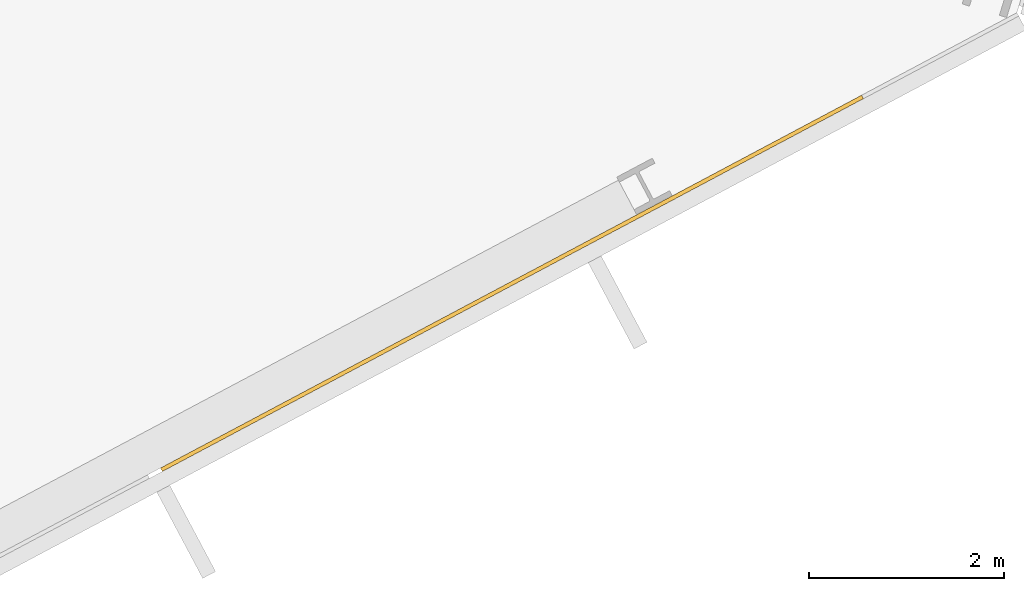
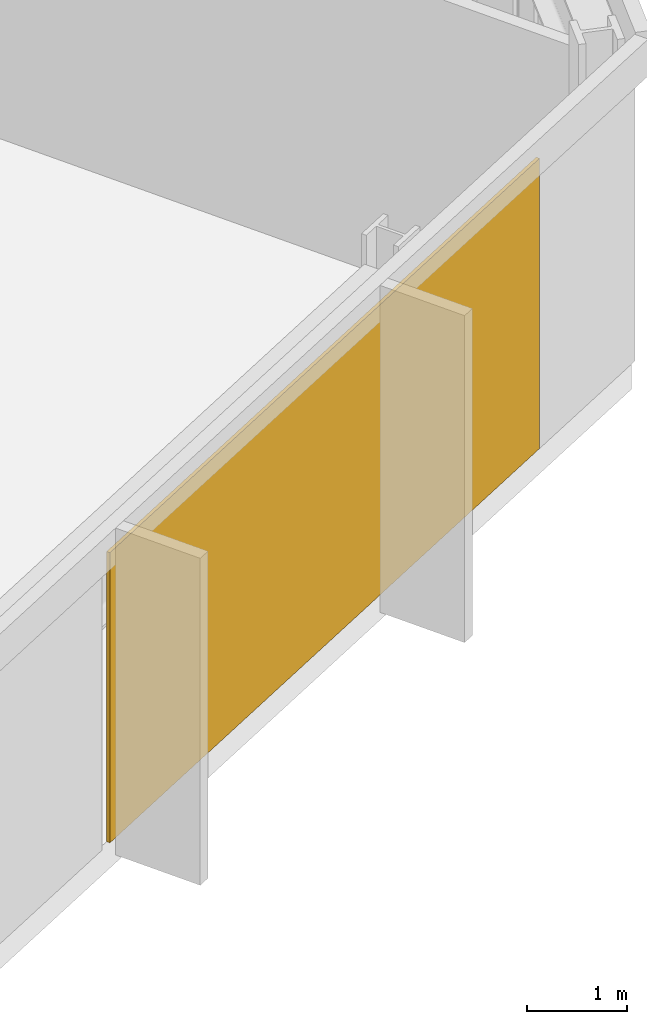
# One storey, part 26 of 28: 1 covering, 1 element without a shape of its own.
"""IFC4 building model written with IfcOpenShell, lengths in metres."""

from ifc_helpers import new_model, si_unit, direction, frame, origin, origin_2d, place, context, subcontext, project, spatial, rectangle, extrude, material, layer, layer_set, type_object, element, aggregate, save


model = new_model("IFC4")

# Units and contexts
model_context = context("Model", 3, precision=1e-05, world=origin(), true_north=direction((0.0, 1.0)))
body_context = subcontext(model_context, "Body", "Model", "MODEL_VIEW")
ifc_project = project(units=[si_unit("LENGTHUNIT", "METRE"), si_unit("AREAUNIT", "SQUARE_METRE"), si_unit("VOLUMEUNIT", "CUBIC_METRE"), si_unit("PLANEANGLEUNIT", "RADIAN"), si_unit("MASSUNIT", "GRAM", prefix="KILO")], contexts=[model_context])

# Site, building, storey
site_placement = place(None, origin())
site = spatial("IfcSite", under=ifc_project, at=site_placement, CompositionType="ELEMENT")
building_placement = place(site_placement, origin())
building = spatial("IfcBuilding", under=site, at=building_placement, Name="Cormorant Relay Tower", CompositionType="ELEMENT")
storey_placement = place(building_placement, frame((0.0, 0.0, 130.199951171875)))
storey = spatial("IfcBuildingStorey", under=building, at=storey_placement, Name="L26", CompositionType="ELEMENT", Elevation=130.199951171875)

# Curtain wall, covering
ifc_material_1 = material(Name="Aluminium 6063-T6 anodised bronze", Category="aluminium")
ifc_layer_1 = layer(ifc_material_1, 0.199951171875)
ifc_layer_set_1 = layer_set([ifc_layer_1], Name="CW1 unitised bronze curtain wall with vertical fins")
curtain_wall_type = type_object("IfcCurtainWallType", Name="CW1 unitised bronze curtain wall with vertical fins", PredefinedType="NOTDEFINED", material=ifc_layer_set_1)
curtain_wall_placement = place(storey_placement, origin())
curtain_wall = element("IfcCurtainWall", 1, at=curtain_wall_placement, inside=storey, type_object=curtain_wall_type, Name="CW1 curtain wall 4", PredefinedType="NOTDEFINED")
ifc_material_2 = material(Name="Pale bronze anodised aluminium insulated panel", Category="aluminium")
ifc_layer_2 = layer(ifc_material_2, 0.0400390625)
ifc_layer_set_2 = layer_set([ifc_layer_2], Name="CW1 pale bronze insulated panel 40")
covering_type = type_object("IfcCoveringType", Name="CW1 pale bronze insulated panel 40", PredefinedType="CLADDING", material=ifc_layer_set_2)
covering_placement = place(storey_placement, frame((50.54931640625, 5.336181640625, 0.0), z_axis=(0.0, 0.0, 1.0), x_axis=(0.882947592859, 0.469471562786, 0.0)))
covering = element("IfcCovering", 2, at=covering_placement, type_object=covering_type, Name="CW1 panel S04", PredefinedType="CLADDING", context=body_context, shape_type="SweptSolid", body=[
    extrude(rectangle(XDim=8.125, YDim=0.0400390625, at=origin_2d()), origin(), (0.0, 0.0, 1.0), 3.550048828125),
])
aggregate(curtain_wall, [covering])

save(model, "model.ifc")
